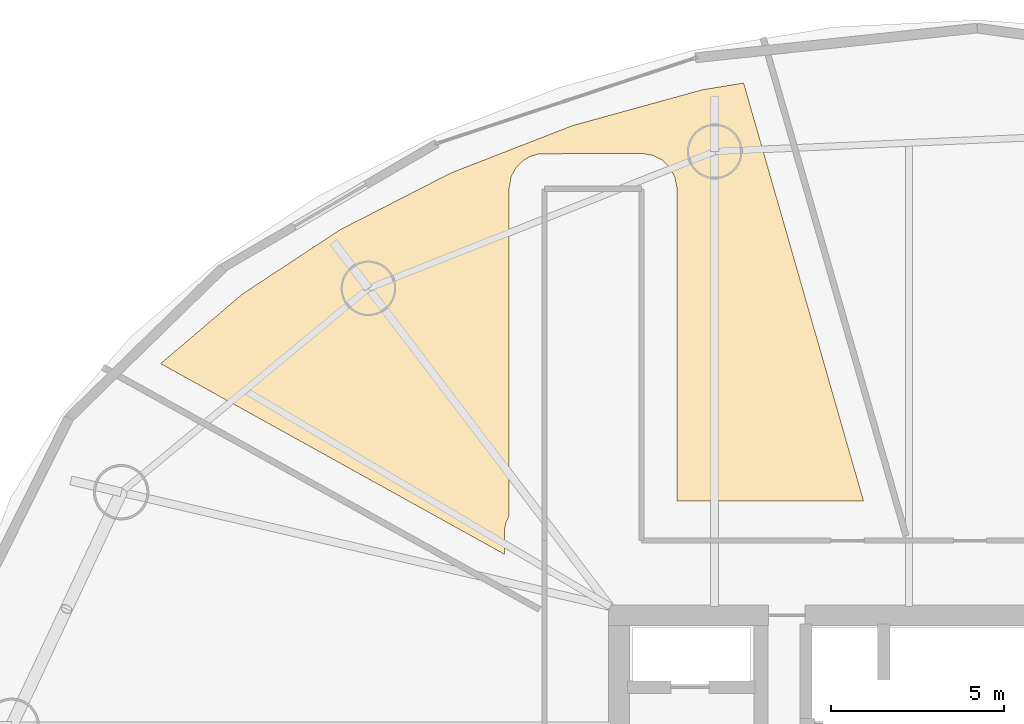
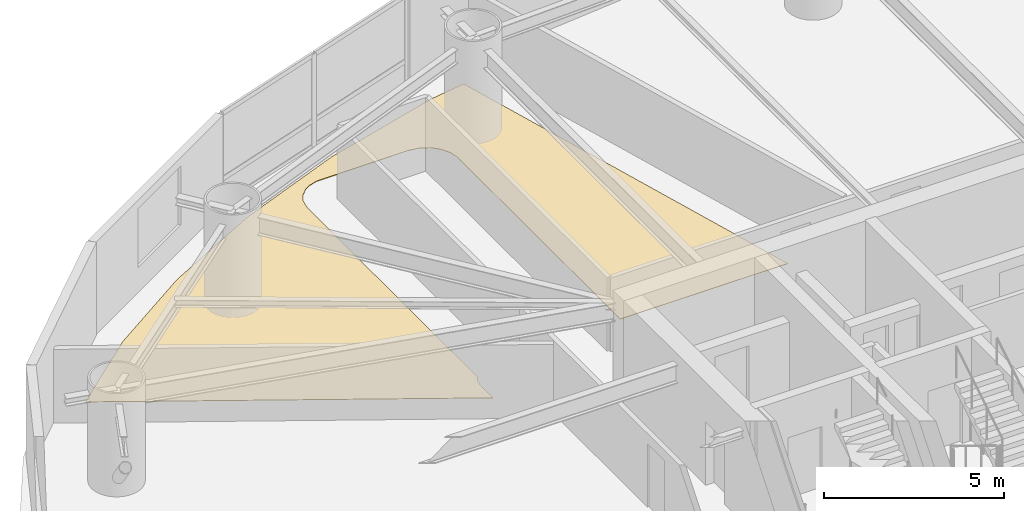
# One storey, part 25 of 25: 1 covering.
"""IFC4 building model written with IfcOpenShell, lengths in metres."""

from ifc_helpers import new_model, si_unit, direction, frame, origin, place, context, subcontext, project, spatial, polyline, outline, extrude, material, layer, layer_set, type_object, element, save


model = new_model("IFC4")

# Units and contexts
model_context = context("Model", 3, precision=1e-05, world=origin(), true_north=direction((0.0, 1.0)))
body_context = subcontext(model_context, "Body", "Model", "MODEL_VIEW")
ifc_project = project(units=[si_unit("LENGTHUNIT", "METRE"), si_unit("AREAUNIT", "SQUARE_METRE"), si_unit("VOLUMEUNIT", "CUBIC_METRE"), si_unit("PLANEANGLEUNIT", "RADIAN"), si_unit("MASSUNIT", "GRAM", prefix="KILO")], contexts=[model_context])

# Site, building, storey
site_placement = place(None, origin())
site = spatial("IfcSite", under=ifc_project, at=site_placement, CompositionType="ELEMENT")
building_placement = place(site_placement, origin())
building = spatial("IfcBuilding", under=site, at=building_placement, Name="Bramvorn Convention Spire", CompositionType="ELEMENT")
storey_placement = place(building_placement, frame((0.0, 0.0, 93.89990234375)))
storey = spatial("IfcBuildingStorey", under=building, at=storey_placement, Name="L22", CompositionType="ELEMENT", Elevation=93.89990234375)

# Covering
ifc_material = material(Name="Solution-Dyed Wool Broadloom Hospitality Carpet", Category="textile")
ifc_layer = layer(ifc_material, 0.014892578125)
ifc_layer_set = layer_set([ifc_layer], Name="Solution-Dyed Wool Broadloom Hospitality Carpet - FLR-CARPET-15")
covering_type = type_object("IfcCoveringType", Name="FLR-CARPET-15", PredefinedType="FLOORING", material=ifc_layer_set)
covering_placement = place(storey_placement, origin())
element("IfcCovering", 1, at=covering_placement, inside=storey, type_object=covering_type, Name="Hotel Suite 2203 wool broadloom carpet", PredefinedType="FLOORING", context=body_context, shape_type="SweptSolid", body=[
    extrude(outline(polyline([(13.777099609375, 40.4560546875), (23.699951171875, 34.95556640625), (23.704345703125, 35.688232421875), (23.73876953125, 35.861328125), (23.830078125, 36.063720703125), (23.830078125, 45.5), (23.8916015625, 45.84912109375), (24.02734375, 46.102783203125), (24.23779296875, 46.315673828125), (24.419189453125, 46.424560546875), (24.694580078125, 46.508056640625), (27.64990234375, 46.52001953125), (27.988037109375, 46.462158203125), (28.252685546875, 46.32275390625), (28.465576171875, 46.1123046875), (28.6083984375, 45.84912109375), (28.668212890625, 45.555908203125), (28.669921875, 36.5), (34.052978515625, 36.5), (30.59716796875, 48.551513671875), (29.408203125, 48.356689453125), (25.65625, 47.32177734375), (22.1474609375, 45.955078125), (18.956787109375, 44.319580078125), (16.151123046875, 42.473388671875), (13.777099609375, 40.4560546875)])), origin(), (0.0, 0.0, 1.0), 0.01513671875),
])

save(model, "model.ifc")
